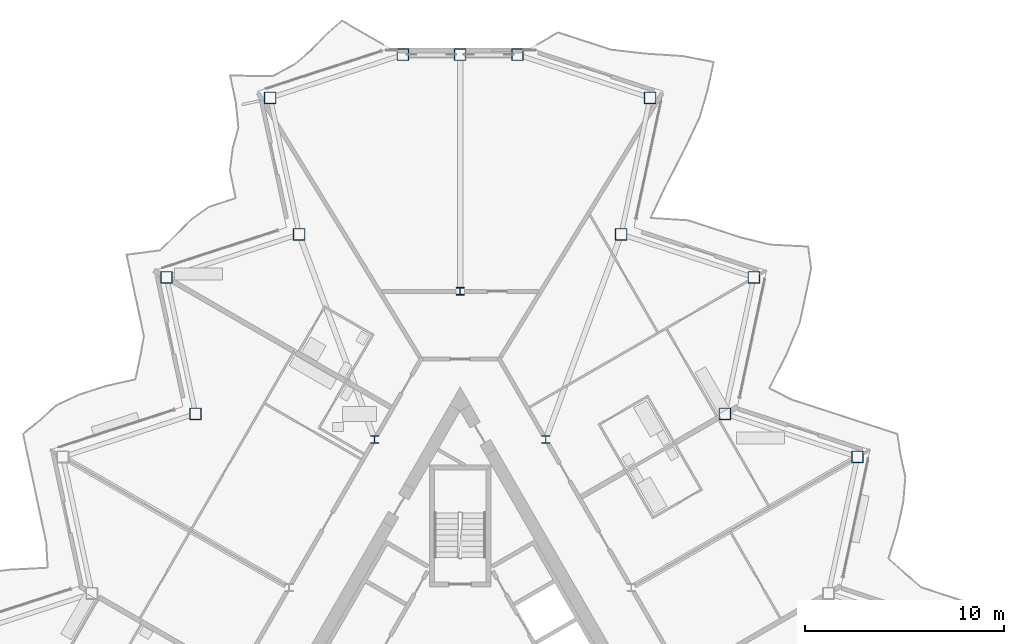
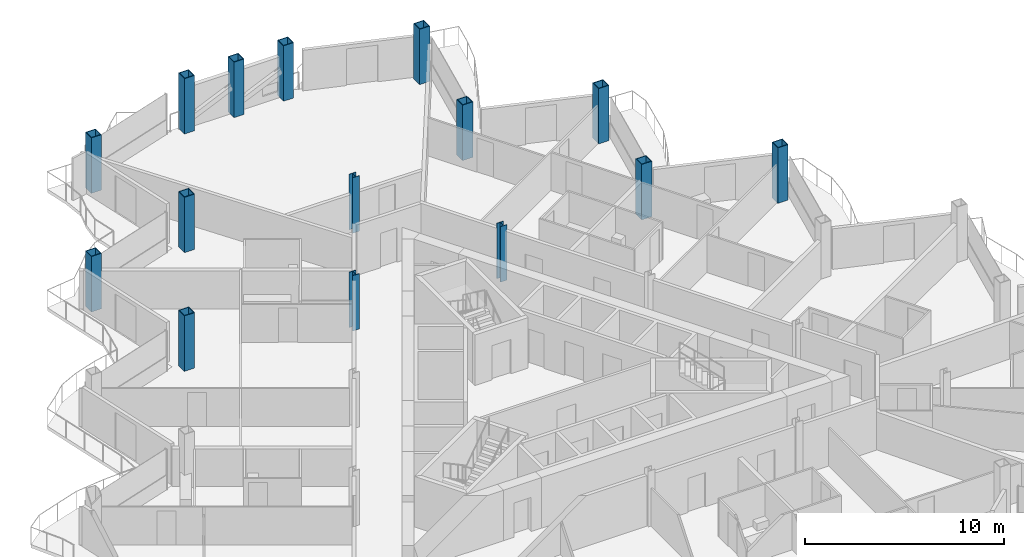
# One storey, part 3 of 28: 15 columns.
"""IFC4 building model written with IfcOpenShell, lengths in metres."""

from ifc_helpers import new_model, si_unit, direction, frame, origin, origin_2d, place, context, subcontext, project, spatial, hollow_rectangle, i_section, extrude, material, material_profile, profile_set, type_object, element, save


model = new_model("IFC4")

# Units and contexts
model_context = context("Model", 3, precision=1e-05, world=origin(), true_north=direction((0.0, 1.0)))
body_context = subcontext(model_context, "Body", "Model", "MODEL_VIEW")
ifc_project = project(units=[si_unit("LENGTHUNIT", "METRE"), si_unit("AREAUNIT", "SQUARE_METRE"), si_unit("VOLUMEUNIT", "CUBIC_METRE"), si_unit("PLANEANGLEUNIT", "RADIAN"), si_unit("MASSUNIT", "GRAM", prefix="KILO")], contexts=[model_context])

# Site, building, storey
site_placement = place(None, origin())
site = spatial("IfcSite", under=ifc_project, at=site_placement, CompositionType="ELEMENT")
building_placement = place(site_placement, origin())
building = spatial("IfcBuilding", under=site, at=building_placement, Name="Cormorant Prow Tower", CompositionType="ELEMENT")
storey_placement = place(building_placement, frame((0.0, 0.0, 305.199951171875)))
storey = spatial("IfcBuildingStorey", under=building, at=storey_placement, Name="L66", CompositionType="ELEMENT", Elevation=305.199951171875)

# Columns
ifc_material_1 = material(Name="Structural steel ASTM A572 Gr 50", Category="steel")
ifc_material_profile_1 = material_profile(ifc_material_1, hollow_rectangle(XDim=0.60009765625, YDim=0.60009765625, WallThickness=0.0400390625, at=origin_2d()), Name="Box 600x600x40")
ifc_profile_set_1 = profile_set([ifc_material_profile_1], Name="Structural steel ASTM A572 Gr 50")
column_type_1 = type_object("IfcColumnType", Name="Perimeter box column 600x600x40", PredefinedType="COLUMN", material=ifc_profile_set_1)
for number, where, z_axis, x_axis, name in (
    (1, (19.925537109375, 11.504150390625, 0.0), (0.0, 0.0, 1.0), (1.0, 0.0, 0.0), "Perimeter column C6 at ENE05 L66"),
    (2, (13.27197265625, 13.666015625, 0.0), (0.0, 0.0, 1.0), (1.0, 0.0, 0.0), "Perimeter column C6 at ENE06 L66"),
    (3, (14.7265625, 20.509033203125, 0.0), (0.0, 0.0, 1.0), (1.0, 0.0, 0.0), "Perimeter column C6 at ENE07 L66"),
    (4, (8.072998046875, 22.6708984375, 0.0), (0.0, 0.0, 1.0), (1.0, 0.0, 0.0), "Perimeter column C6 at ENE08 L66"),
    (5, (9.52734375, 29.51416015625, 0.0), (0.0, 0.0, 1.0), (1.0, 0.0, 0.0), "Perimeter column C6 at ENE09 L66"),
    (6, (2.873779296875, 31.676025390625, 0.0), (0.0, 0.0, 1.0), (1.0, 0.0, 0.0), "Perimeter column C6 at N00 L66"),
    (7, (0.0, 31.676025390625, 0.0), (0.0, 0.0, 1.0), (1.0, 0.0, 0.0), "Perimeter column C6 at N01 L66"),
    (8, (-2.873779296875, 31.676025390625, 0.0), (0.0, 0.0, 1.0), (1.0, 0.0, 0.0), "Perimeter column C6 at WNW00 L66"),
    (9, (-9.52734375, 29.51416015625, 0.0), (0.0, 0.0, 1.0), (1.0, 0.0, 0.0), "Perimeter column C6 at WNW01 L66"),
    (10, (-8.072998046875, 22.6708984375, 0.0), (0.0, 0.0, 1.0), (1.0, 0.0, 0.0), "Perimeter column C6 at WNW02 L66"),
    (11, (-14.7265625, 20.509033203125, 0.0), (0.0, 0.0, 1.0), (1.0, 0.0, 0.0), "Perimeter column C6 at WNW03 L66"),
    (12, (-13.27197265625, 13.666015625, 0.0), (0.0, 0.0, 1.0), (1.0, 0.0, 0.0), "Perimeter column C6 at WNW04 L66"),
):
    element("IfcColumn", number, at=place(storey_placement, frame(where, z_axis=z_axis, x_axis=x_axis)), inside=storey, type_object=column_type_1, Name=name, PredefinedType="COLUMN", context=body_context, shape_type="SweptSolid", body=[
        extrude(hollow_rectangle(XDim=0.60009765625, YDim=0.60009765625, WallThickness=0.0400390625, at=origin_2d()), origin(), (0.0, 0.0, 1.0), 3.400146484375),
    ])
ifc_material_2 = material(Name="Structural steel ASTM A992 Gr 50", Category="steel")
ifc_material_profile_2 = material_profile(ifc_material_2, i_section(OverallWidth=0.3955078125, OverallDepth=0.380615234375, WebThickness=0.018798828125, FlangeThickness=0.0302734375, at=origin_2d()), Name="W14x159")
ifc_profile_set_2 = profile_set([ifc_material_profile_2], Name="Structural steel ASTM A992 Gr 50")
column_type_2 = type_object("IfcColumnType", Name="Ring column W14x159", PredefinedType="COLUMN", material=ifc_profile_set_2)
for number, where, z_axis, x_axis, name in (
    (13, (0.0, 19.81103515625, 0.0), (0.0, 0.0, 1.0), (1.0, 0.0, 0.0), "Ring column 1 L66"),
    (14, (-4.289306640625, 12.3818359375, 0.0), (0.0, 0.0, 1.0), (1.0, 0.0, 0.0), "Ring column 2 L66"),
    (15, (4.289306640625, 12.3818359375, 0.0), (0.0, 0.0, 1.0), (1.0, 0.0, 0.0), "Ring column 12 L66"),
):
    element("IfcColumn", number, at=place(storey_placement, frame(where, z_axis=z_axis, x_axis=x_axis)), inside=storey, type_object=column_type_2, Name=name, PredefinedType="COLUMN", context=body_context, shape_type="SweptSolid", body=[
        extrude(i_section(OverallWidth=0.3955078125, OverallDepth=0.380615234375, WebThickness=0.018798828125, FlangeThickness=0.0302734375, at=origin_2d()), origin(), (0.0, 0.0, 1.0), 3.400146484375),
    ])

save(model, "model.ifc")
